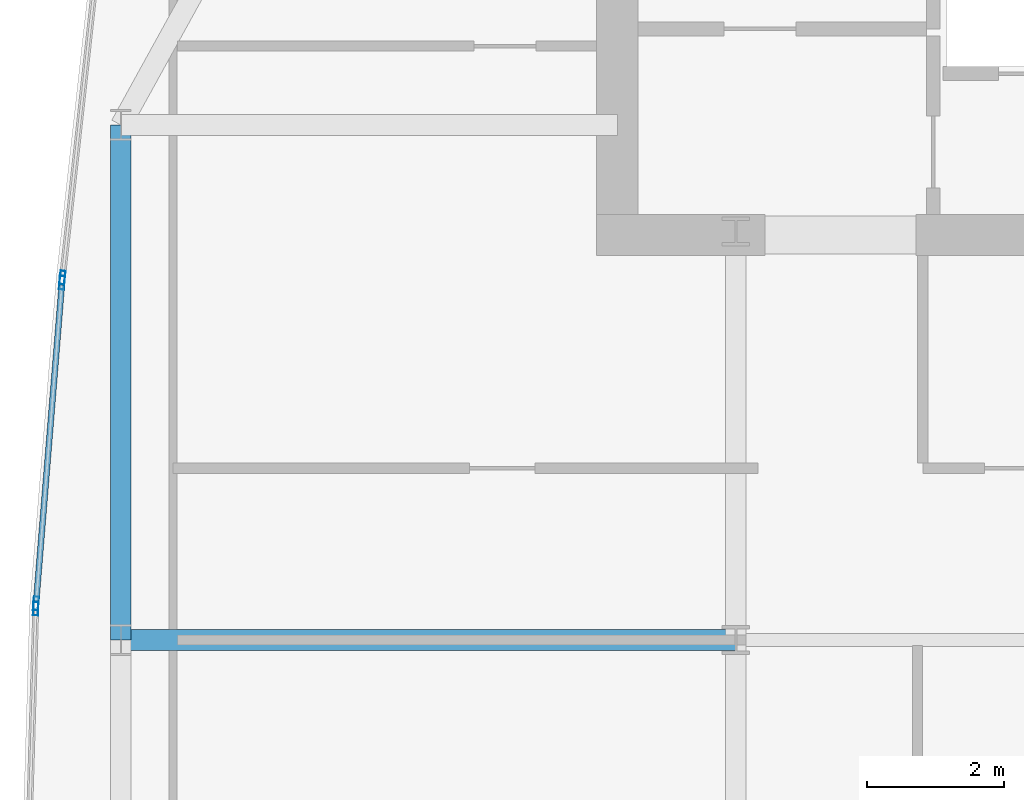
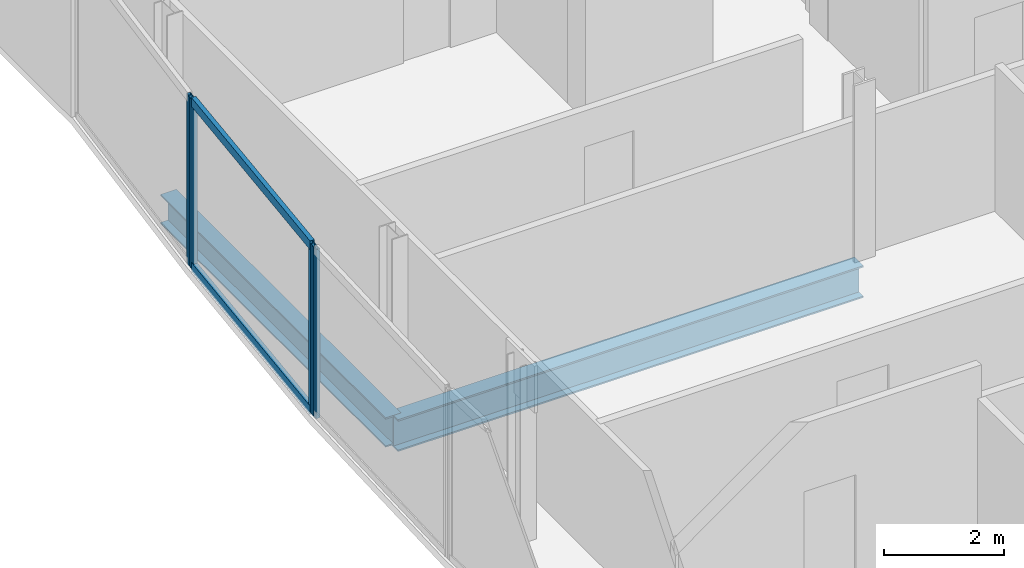
# One storey, part 12 of 29: 6 members, 2 beams, 3 elements without a shape of their own.
"""IFC4 building model written with IfcOpenShell, lengths in metres."""

from ifc_helpers import new_model, si_unit, direction, frame, origin, origin_2d, place, context, subcontext, project, spatial, hollow_rectangle, i_section, extrude, material, material_profile, profile_set, type_object, element, aggregate, save


model = new_model("IFC4")

# Units and contexts
model_context = context("Model", 3, precision=1e-05, world=origin(), true_north=direction((0.0, 1.0)))
body_context = subcontext(model_context, "Body", "Model", "MODEL_VIEW")
ifc_project = project(units=[si_unit("LENGTHUNIT", "METRE"), si_unit("AREAUNIT", "SQUARE_METRE"), si_unit("VOLUMEUNIT", "CUBIC_METRE"), si_unit("PLANEANGLEUNIT", "RADIAN"), si_unit("MASSUNIT", "GRAM", prefix="KILO")], contexts=[model_context])

# Site, building, storey
site_placement = place(None, origin())
site = spatial("IfcSite", under=ifc_project, at=site_placement, CompositionType="ELEMENT")
building_placement = place(site_placement, origin())
building = spatial("IfcBuilding", under=site, at=building_placement, Name="Khoronbel Lancet Exchange", CompositionType="ELEMENT")
storey_placement = place(building_placement, frame((0.0, 0.0, 246.199951171875)))
storey = spatial("IfcBuildingStorey", under=building, at=storey_placement, Name="L63", CompositionType="ELEMENT", Elevation=246.199951171875)

# Beams
ifc_material_1 = material(Name="Steel S355", Category="steel")
ifc_material_profile_1 = material_profile(ifc_material_1, i_section(OverallWidth=0.300048828125, OverallDepth=0.64990234375, WebThickness=0.01611328125, FlangeThickness=0.031005859375, at=origin_2d()), Name="HEB 650")
ifc_profile_set_1 = profile_set([ifc_material_profile_1], Name="Steel S355")
beam_type_1 = type_object("IfcBeamType", Name="BM-BG4", PredefinedType="BEAM", material=ifc_profile_set_1)
beam_1_placement = place(storey_placement, frame((9.27001953125, 35.699951171875, -0.48486328125), z_axis=(1.0, 0.0, 0.0), x_axis=(0.0, 1.0, 0.0)))
element("IfcBeam", 1, at=beam_1_placement, inside=storey, type_object=beam_type_1, Name="Level L63 west lens tie girder LG4W", PredefinedType="BEAM", context=body_context, shape_type="SweptSolid", body=[
    extrude(i_section(OverallWidth=0.300048828125, OverallDepth=0.64990234375, WebThickness=0.01611328125, FlangeThickness=0.031005859375, at=origin_2d()), origin(), (0.0, 0.0, 1.0), 8.955078125),
])
ifc_material_profile_2 = material_profile(ifc_material_1, i_section(OverallWidth=0.300048828125, OverallDepth=0.60009765625, WebThickness=0.015380859375, FlangeThickness=0.030029296875, at=origin_2d()), Name="HEB 600")
ifc_profile_set_2 = profile_set([ifc_material_profile_2], Name="Steel S355")
beam_type_2 = type_object("IfcBeamType", Name="BM-BSP2", PredefinedType="SPANDREL", material=ifc_profile_set_2)
beam_2_placement = place(storey_placement, frame((9.27001953125, 43.199951171875, -0.4599609375), z_axis=(0.0, -1.0, 0.0), x_axis=(1.0, 0.0, 0.0)))
element("IfcBeam", 2, at=beam_2_placement, inside=storey, type_object=beam_type_2, Name="Level L63 perimeter spandrel beam SP17", PredefinedType="SPANDREL", context=body_context, shape_type="SweptSolid", body=[
    extrude(i_section(OverallWidth=0.300048828125, OverallDepth=0.60009765625, WebThickness=0.015380859375, FlangeThickness=0.030029296875, at=origin_2d()), origin(), (0.0, 0.0, 1.0), 7.5),
])

# Curtain wall, member
ifc_material_2 = material(Name="Low-E Solar Control Insulating Glass", Category="glass")
curtain_wall_type = type_object("IfcCurtainWallType", Name="CW-4", PredefinedType="NOTDEFINED", material=ifc_material_2)
curtain_wall_1_placement = place(storey_placement, origin())
curtain_wall_1 = element("IfcCurtainWall", 3, at=curtain_wall_1_placement, inside=storey, type_object=curtain_wall_type, Name="Unitised curtain wall CW-L63-E07", PredefinedType="NOTDEFINED")
ifc_material_3 = material(Name="Bronze-Anodised Aluminium 6063-T6", Category="aluminium")
ifc_material_profile_3 = material_profile(ifc_material_3, hollow_rectangle(XDim=0.074951171875, YDim=0.199951171875, WallThickness=0.0048828125, at=origin_2d()), Name="ALU MULLION 75x200")
ifc_profile_set_3 = profile_set([ifc_material_profile_3], Name="Bronze-Anodised Aluminium 6063-T6")
member_type_1 = type_object("IfcMemberType", Name="MEM-CWM2", PredefinedType="MULLION", material=ifc_profile_set_3)
member_1_placement = place(storey_placement, frame((8.029541015625, 36.157470703125, 0.0), z_axis=(0.0, 0.0, 1.0), x_axis=(-0.999561285143, 0.029618191076, 0.0)))
member_1 = element("IfcMember", 4, at=member_1_placement, type_object=member_type_1, Name="CW4 mullion 2", PredefinedType="MULLION", context=body_context, shape_type="SweptSolid", body=[
    extrude(hollow_rectangle(XDim=0.074951171875, YDim=0.199951171875, WallThickness=0.0048828125, at=origin_2d()), origin(), (0.0, 0.0, 1.0), 3.43994140625),
])
aggregate(curtain_wall_1, [member_1])

# Curtain wall, members
curtain_wall_2_placement = place(storey_placement, origin())
curtain_wall_2 = element("IfcCurtainWall", 5, at=curtain_wall_2_placement, inside=storey, type_object=curtain_wall_type, Name="Unitised curtain wall CW-L63-E08", PredefinedType="NOTDEFINED")
member_2_placement = place(storey_placement, frame((8.03369140625, 36.232421875, 0.0), z_axis=(0.0, 0.0, 1.0), x_axis=(-0.996743296731, 0.080639943095, 0.0)))
member_2 = element("IfcMember", 6, at=member_2_placement, type_object=member_type_1, Name="CW4 mullion 1", PredefinedType="MULLION", context=body_context, shape_type="SweptSolid", body=[
    extrude(hollow_rectangle(XDim=0.074951171875, YDim=0.199951171875, WallThickness=0.0048828125, at=origin_2d()), origin(), (0.0, 0.0, 1.0), 3.43994140625),
])
member_3_placement = place(storey_placement, frame((8.41162109375, 40.904052734375, 0.0), z_axis=(0.0, 0.0, 1.0), x_axis=(-0.996743296731, 0.080639943095, 0.0)))
member_3 = element("IfcMember", 7, at=member_3_placement, type_object=member_type_1, Name="CW4 mullion 2", PredefinedType="MULLION", context=body_context, shape_type="SweptSolid", body=[
    extrude(hollow_rectangle(XDim=0.074951171875, YDim=0.199951171875, WallThickness=0.0048828125, at=origin_2d()), origin(), (0.0, 0.0, 1.0), 3.43994140625),
])

# Curtain wall, member
curtain_wall_3_placement = place(storey_placement, origin())
curtain_wall_3 = element("IfcCurtainWall", 8, at=curtain_wall_3_placement, inside=storey, type_object=curtain_wall_type, Name="Unitised curtain wall CW-L63-E09", PredefinedType="NOTDEFINED")
member_4_placement = place(storey_placement, frame((8.418701171875, 40.978759765625, 0.0), z_axis=(0.0, 0.0, 1.0), x_axis=(-0.993947317123, 0.109857775256, 0.0)))
member_4 = element("IfcMember", 9, at=member_4_placement, type_object=member_type_1, Name="CW4 mullion 1", PredefinedType="MULLION", context=body_context, shape_type="SweptSolid", body=[
    extrude(hollow_rectangle(XDim=0.074951171875, YDim=0.199951171875, WallThickness=0.0048828125, at=origin_2d()), origin(), (0.0, 0.0, 1.0), 3.43994140625),
])
aggregate(curtain_wall_3, [member_4])

# Member
ifc_material_profile_4 = material_profile(ifc_material_3, hollow_rectangle(XDim=0.0849609375, YDim=0.179931640625, WallThickness=0.0048828125, at=origin_2d()), Name="ALU TRANSOM 85x180")
ifc_profile_set_4 = profile_set([ifc_material_profile_4], Name="Bronze-Anodised Aluminium 6063-T6")
member_type_2 = type_object("IfcMemberType", Name="MEM-CWT1", PredefinedType="USERDEFINED", material=ifc_profile_set_4)
member_5_placement = place(storey_placement, frame((8.03662109375, 36.269775390625, 0.04248046875), z_axis=(0.080622560017, 0.996744702929, 0.0), x_axis=(-0.996744702929, 0.080622560017, 0.0)))
member_5 = element("IfcMember", 10, at=member_5_placement, type_object=member_type_2, Name="CW4 transom 1.1", ObjectType="TRANSOM", PredefinedType="USERDEFINED", context=body_context, shape_type="SweptSolid", body=[
    extrude(hollow_rectangle(XDim=0.0849609375, YDim=0.179931640625, WallThickness=0.0048828125, at=origin_2d()), origin(), (0.0, 0.0, 1.0), 4.61181640625),
])

member_6_placement = place(storey_placement, frame((8.03662109375, 36.269775390625, 3.3974609375), z_axis=(0.080622560017, 0.996744702929, 0.0), x_axis=(-0.996744702929, 0.080622560017, 0.0)))
member_6 = element("IfcMember", 11, at=member_6_placement, type_object=member_type_2, Name="CW4 transom 1.2", ObjectType="TRANSOM", PredefinedType="USERDEFINED", context=body_context, shape_type="SweptSolid", body=[
    extrude(hollow_rectangle(XDim=0.0849609375, YDim=0.179931640625, WallThickness=0.0048828125, at=origin_2d()), origin(), (0.0, 0.0, 1.0), 4.61181640625),
])

aggregate(curtain_wall_2, [member_2, member_3, member_5, member_6])

save(model, "model.ifc")
